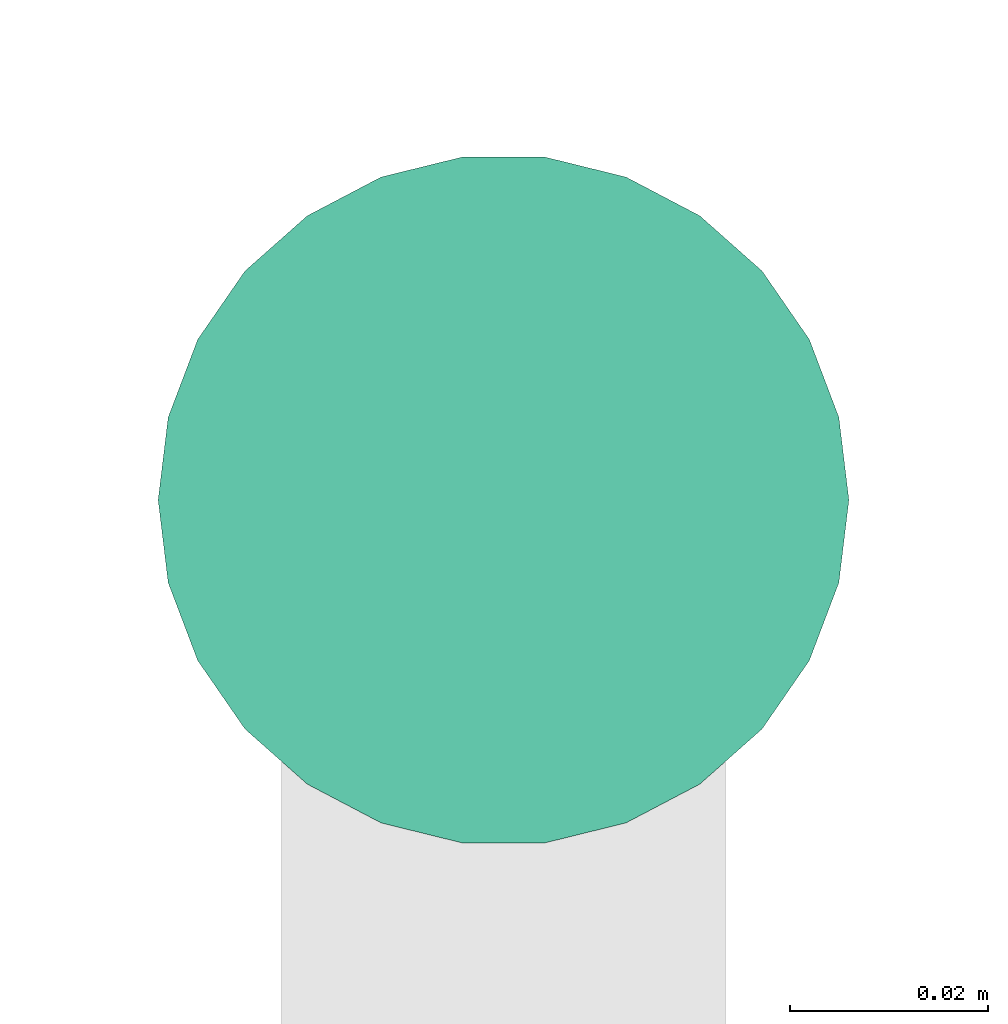
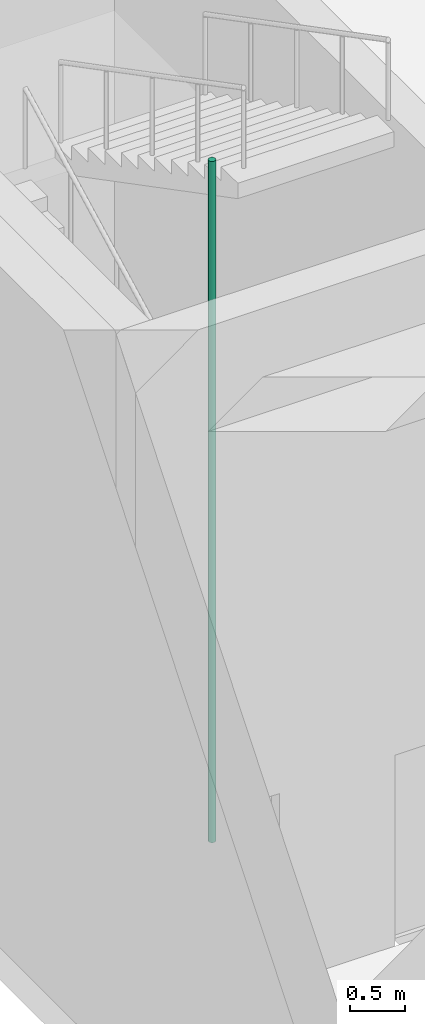
# One storey, part 27 of 36: 1 pipe segment.
"""IFC4 building model written with IfcOpenShell, lengths in metres."""

from ifc_helpers import new_model, si_unit, direction, frame, origin, origin_2d, place, context, subcontext, project, spatial, circle, extrude, element, save


model = new_model("IFC4")

# Units and contexts
model_context = context("Model", 3, precision=1e-05, world=origin(), true_north=direction((0.0, 1.0)))
body_context = subcontext(model_context, "Body", "Model", "MODEL_VIEW")
ifc_project = project(units=[si_unit("LENGTHUNIT", "METRE"), si_unit("AREAUNIT", "SQUARE_METRE"), si_unit("VOLUMEUNIT", "CUBIC_METRE"), si_unit("PLANEANGLEUNIT", "RADIAN"), si_unit("MASSUNIT", "GRAM", prefix="KILO")], contexts=[model_context])

# Site, building, storey
site_placement = place(None, origin())
site = spatial("IfcSite", under=ifc_project, at=site_placement, CompositionType="ELEMENT")
building_placement = place(site_placement, origin())
building = spatial("IfcBuilding", under=site, at=building_placement, Name="Nzadi Deep Aquarium and Research Tower", CompositionType="ELEMENT")
storey_placement = place(building_placement, frame((0.0, 0.0, 14.199951171875)))
storey = spatial("IfcBuildingStorey", under=building, at=storey_placement, Name="L02", CompositionType="ELEMENT", Elevation=14.199951171875)

# Pipe segment
pipe_segment_placement = place(storey_placement, frame((2.300048828125, 68.9599609375, 0.0), z_axis=(0.0, 0.0, 1.0), x_axis=(1.0, 0.0, 0.0)))
element("IfcPipeSegment", 1, at=pipe_segment_placement, inside=storey, Name="Dry riser ST-Z2-W L02", PredefinedType="RIGIDSEGMENT", context=body_context, shape_type="SweptSolid", body=[
    extrude(circle(Radius=0.034912109375, at=origin_2d()), origin(), (0.0, 0.0, 1.0), 7.5),
])

save(model, "model.ifc")
